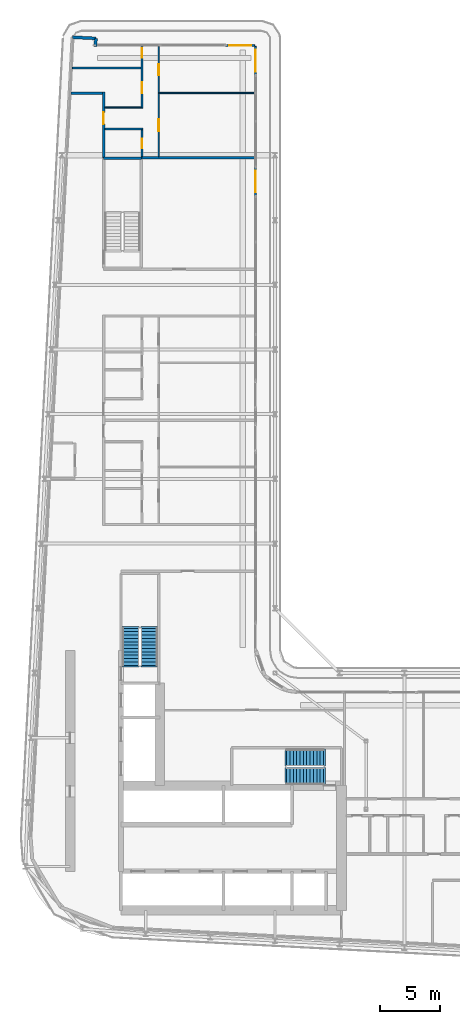
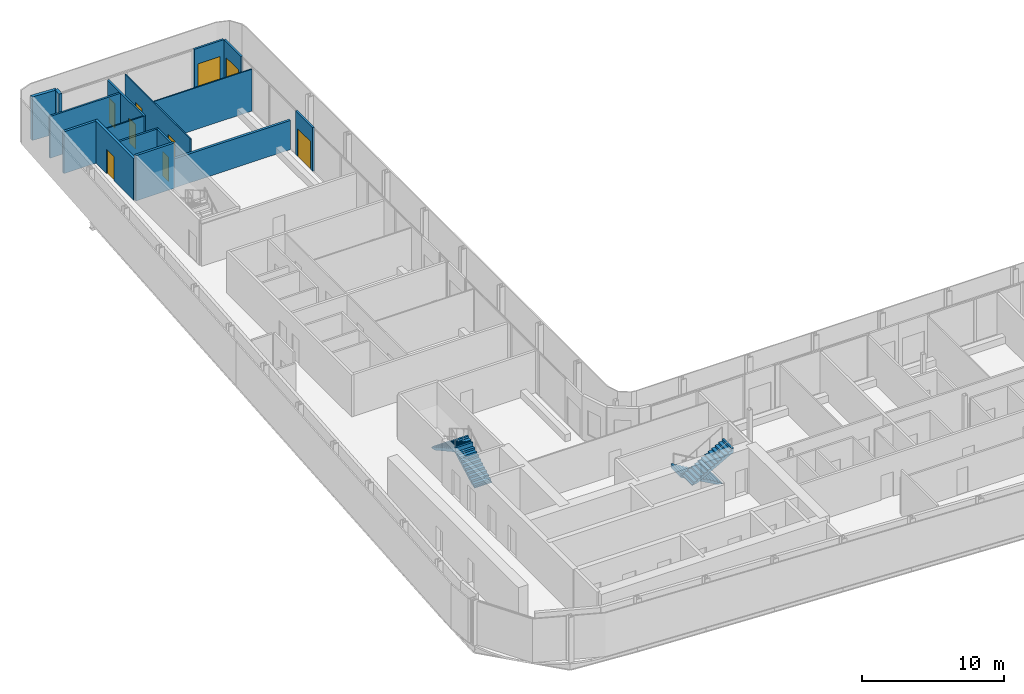
# One storey, part 21 of 29: 16 walls, 9 doors, 4 stair flights, 9 openings, 2 elements without a shape of their own.
"""IFC4 building model written with IfcOpenShell, lengths in metres."""

from ifc_helpers import new_model, si_unit, direction, frame, frame_2d, origin, place, context, subcontext, project, spatial, polyline, rectangle, outline, extrude, source, transform, mapped, material, layer, layer_set, type_object, element, fill, aggregate, save


model = new_model("IFC4")

# Units and contexts
model_context = context("Model", 3, precision=1e-05, world=origin(), true_north=direction((0.0, 1.0)))
body_context = subcontext(model_context, "Body", "Model", "MODEL_VIEW")
ifc_project = project(units=[si_unit("LENGTHUNIT", "METRE"), si_unit("AREAUNIT", "SQUARE_METRE"), si_unit("VOLUMEUNIT", "CUBIC_METRE"), si_unit("PLANEANGLEUNIT", "RADIAN"), si_unit("MASSUNIT", "GRAM", prefix="KILO")], contexts=[model_context])

# Site, building, storey
site_placement = place(None, origin())
site = spatial("IfcSite", under=ifc_project, at=site_placement, CompositionType="ELEMENT")
building_placement = place(site_placement, origin())
building = spatial("IfcBuilding", under=site, at=building_placement, Name="Kheshtan School and Residences Tower", CompositionType="ELEMENT")
storey_placement = place(building_placement, frame((0.0, 0.0, 179.89990234375)))
storey = spatial("IfcBuildingStorey", under=building, at=storey_placement, Name="L42", CompositionType="ELEMENT", Elevation=179.89990234375)

# Wall
ifc_material_1 = material(Name="Gypsum board on steel studs with fire boards", Category="steel")
ifc_layer_1 = layer(ifc_material_1, 0.199951171875)
ifc_layer_set_1 = layer_set([ifc_layer_1], Name="Corridor wall 200")
wall_type_1 = type_object("IfcWallType", Name="Corridor wall 200", PredefinedType="PARTITIONING", material=ifc_layer_set_1)
wall_1_placement = place(storey_placement, frame((30.584716796875, 94.0, 0.0), z_axis=(0.0, 0.0, 1.0), x_axis=(1.0, 0.0, 0.0)))
element("IfcWall", 1, at=wall_1_placement, inside=storey, type_object=wall_type_1, Name="Partition L42-002", PredefinedType="PARTITIONING", context=body_context, shape_type="SweptSolid", body=[
    extrude(rectangle(XDim=2.615234375, YDim=0.199951171875, at=frame_2d((1.3076171875, 0.0))), origin(), (0.0, 0.0, 1.0), 3.60009765625),
])

# Wall, opening, door
wall_2_placement = place(storey_placement, frame((33.300048828125, 88.60009765625, 0.0), z_axis=(0.0, 0.0, 1.0), x_axis=(0.0, 1.0, 0.0)))
wall_2 = element("IfcWall", 2, at=wall_2_placement, inside=storey, type_object=wall_type_1, Name="Partition L42-005", PredefinedType="PARTITIONING", context=body_context, shape_type="SweptSolid", body=[
    extrude(rectangle(XDim=5.5, YDim=0.199951171875, at=frame_2d((2.75, 0.0))), origin(), (0.0, 0.0, 1.0), 3.60009765625),
])
opening_1_placement = place(wall_2_placement, frame((2.800048828125, 0.0, 0.0)))
opening_1 = element("IfcOpeningElement", 3, at=opening_1_placement, cuts=wall_2, Name="Opening D41-045", PredefinedType="OPENING", context=body_context, shape_type="SweptSolid", body=[
    extrude(rectangle(XDim=1.0, YDim=2.10009765625, at=frame_2d((0.5, 1.050048828125))), frame((0.0, 0.10986328125, 0.0), z_axis=(0.0, -1.0, 0.0), x_axis=(1.0, 0.0, 0.0)), (0.0, 0.0, 1.0), 0.219970703125),
])
ifc_material_2 = material(Name="Steel-framed fire-resisting door leaf", Category="steel")
door_type_1 = type_object("IfcDoorType", Name="Fire door FD30S 1000 x 2100", OperationType="SINGLE_SWING_LEFT", PredefinedType="DOOR", material=ifc_material_2)
shared_shape_1 = source(origin(), body_context, "Body", "SweptSolid", [
    extrude(rectangle(XDim=1.0, YDim=2.10009765625, at=frame_2d((0.5, 1.050048828125))), frame((0.0, 0.02490234375, 0.0), z_axis=(0.0, -1.0, 0.0), x_axis=(1.0, 0.0, 0.0)), (0.0, 0.0, 1.0), 0.050048828125),
])
door_1_placement = place(opening_1_placement, origin())
door_1 = element("IfcDoor", 4, at=door_1_placement, inside=storey, type_object=door_type_1, Name="Door D41-045", OperationType="SINGLE_SWING_LEFT", OverallHeight=2.10009765625, OverallWidth=1.0, PredefinedType="DOOR", context=body_context, shape_type="MappedRepresentation", body=[
    mapped(shared_shape_1, transform((0.0, 0.0, 0.0), x_axis=(1.0, 0.0, 0.0), y_axis=(0.0, 1.0, 0.0), z_axis=(0.0, 0.0, 1.0), scale=1.0)),
])
fill(opening_1, door_1)

# Walls
ifc_material_3 = material(Name="Concrete C40/50 with ceramic cladding and mineral wool insulation", Category="concrete")
ifc_layer_2 = layer(ifc_material_3, 0.25)
ifc_layer_set_2 = layer_set([ifc_layer_2], Name="External wall 250 ceramic clad")
wall_type_2 = type_object("IfcWallType", Name="External wall 250 ceramic clad", PredefinedType="SOLIDWALL", material=ifc_layer_set_2)
wall_3_placement = place(storey_placement, frame((30.705078125, 98.6640625, 0.0), z_axis=(0.0, 0.0, 1.0), x_axis=(0.998577785791, -0.053314216913, 0.0)))
element("IfcWall", 5, at=wall_3_placement, inside=storey, type_object=wall_type_2, Name="External wall L42 5", PredefinedType="SOLIDWALL", context=body_context, shape_type="SweptSolid", body=[
    extrude(rectangle(XDim=1.95068359375, YDim=0.25, at=frame_2d((0.975341796875, 0.0))), origin(), (0.0, 0.0, 1.0), 3.75),
])
wall_4_placement = place(storey_placement, frame((32.653076171875, 98.56005859375, 0.0), z_axis=(0.0, 0.0, 1.0), x_axis=(-0.054093451632, -0.998535877418, 0.0)))
element("IfcWall", 6, at=wall_4_placement, inside=storey, type_object=wall_type_2, Name="External wall L42 6", PredefinedType="SOLIDWALL", context=body_context, shape_type="SweptSolid", body=[
    extrude(rectangle(XDim=0.66796875, YDim=0.25, at=frame_2d((0.333984375, 0.0))), origin(), (0.0, 0.0, 1.0), 3.75),
])

# Wall, opening, door
ifc_material_4 = material(Name="Aluminium frame wall with insulated infill", Category="aluminium")
ifc_layer_3 = layer(ifc_material_4, 0.14990234375)
ifc_layer_set_3 = layer_set([ifc_layer_3], Name="Glazing frame wall 150")
wall_type_3 = type_object("IfcWallType", Name="Glazing frame wall 150", PredefinedType="SOLIDWALL", material=ifc_layer_set_3)
wall_5_placement = place(storey_placement, frame((43.5, 97.97509765625, 0.0), z_axis=(0.0, 0.0, 1.0), x_axis=(1.0, 0.0, 0.0)))
wall_5 = element("IfcWall", 7, at=wall_5_placement, inside=storey, type_object=wall_type_3, Name="Balcony door wall L42 7.1", PredefinedType="SOLIDWALL", context=body_context, shape_type="SweptSolid", body=[
    extrude(rectangle(XDim=2.39990234375, YDim=0.14990234375, at=frame_2d((1.199951171875, 0.0))), origin(), (0.0, 0.0, 1.0), 3.75),
])
opening_2_placement = place(wall_5_placement, frame((0.300048828125, 0.0, 0.0)))
opening_2 = element("IfcOpeningElement", 8, at=opening_2_placement, cuts=wall_5, Name="Opening BD", PredefinedType="OPENING", context=body_context, shape_type="SweptSolid", body=[
    extrude(rectangle(XDim=1.800048828125, YDim=2.39990234375, at=frame_2d((0.89990234375, 1.199951171875))), frame((0.0, 0.0849609375, 0.0), z_axis=(0.0, -1.0, 0.0), x_axis=(1.0, 0.0, 0.0)), (0.0, 0.0, 1.0), 0.169921875),
])
ifc_material_5 = material(Name="Clear low-e glass in thermally broken aluminium frame", Category="aluminium")
door_type_2 = type_object("IfcDoorType", Name="Balcony sliding door", OperationType="SLIDING_TO_LEFT", PredefinedType="DOOR", material=ifc_material_5)
shared_shape_2 = source(origin(), body_context, "Body", "SweptSolid", [
    extrude(rectangle(XDim=1.800048828125, YDim=2.39990234375, at=frame_2d((0.89990234375, 1.199951171875))), frame((0.0, 0.02490234375, 0.0), z_axis=(0.0, -1.0, 0.0), x_axis=(1.0, 0.0, 0.0)), (0.0, 0.0, 1.0), 0.050048828125),
])
door_2_placement = place(opening_2_placement, origin())
door_2 = element("IfcDoor", 9, at=door_2_placement, inside=storey, type_object=door_type_2, Name="Balcony door L42 7.1", OperationType="SLIDING_TO_LEFT", OverallHeight=2.39990234375, OverallWidth=1.800048828125, PredefinedType="DOOR", context=body_context, shape_type="MappedRepresentation", body=[
    mapped(shared_shape_2, transform((0.0, 0.0, 0.0), x_axis=(1.0, 0.0, 0.0), y_axis=(0.0, 1.0, 0.0), z_axis=(0.0, 0.0, 1.0), scale=1.0)),
])
fill(opening_2, door_2)

wall_6_placement = place(storey_placement, frame((45.97509765625, 97.89990234375, 0.0), z_axis=(0.0, 0.0, 1.0), x_axis=(0.0, -1.0, 0.0)))
wall_6 = element("IfcWall", 10, at=wall_6_placement, inside=storey, type_object=wall_type_3, Name="Balcony door wall L42 8.1", PredefinedType="SOLIDWALL", context=body_context, shape_type="SweptSolid", body=[
    extrude(rectangle(XDim=2.39990234375, YDim=0.14990234375, at=frame_2d((1.199951171875, 0.0))), origin(), (0.0, 0.0, 1.0), 3.75),
])
opening_3_placement = place(wall_6_placement, frame((0.300048828125, 0.0, 0.0)))
opening_3 = element("IfcOpeningElement", 11, at=opening_3_placement, cuts=wall_6, Name="Opening BD", PredefinedType="OPENING", context=body_context, shape_type="SweptSolid", body=[
    extrude(rectangle(XDim=1.800048828125, YDim=2.39990234375, at=frame_2d((0.89990234375, 1.199951171875))), frame((0.0, 0.0849609375, 0.0), z_axis=(0.0, -1.0, 0.0), x_axis=(1.0, 0.0, 0.0)), (0.0, 0.0, 1.0), 0.169921875),
])
door_3_placement = place(opening_3_placement, origin())
door_3 = element("IfcDoor", 12, at=door_3_placement, inside=storey, type_object=door_type_2, Name="Balcony door L42 8.1", OperationType="SLIDING_TO_LEFT", OverallHeight=2.39990234375, OverallWidth=1.800048828125, PredefinedType="DOOR", context=body_context, shape_type="MappedRepresentation", body=[
    mapped(shared_shape_2, transform((0.0, 0.0, 0.0), x_axis=(1.0, 0.0, 0.0), y_axis=(0.0, 1.0, 0.0), z_axis=(0.0, 0.0, 1.0), scale=1.0)),
])
fill(opening_3, door_3)

wall_7_placement = place(storey_placement, frame((45.97509765625, 87.805908203125, 0.0), z_axis=(0.0, 0.0, 1.0), x_axis=(0.0, -1.0, 0.0)))
wall_7 = element("IfcWall", 13, at=wall_7_placement, inside=storey, type_object=wall_type_3, Name="Balcony door wall L42 8.2", PredefinedType="SOLIDWALL", context=body_context, shape_type="SweptSolid", body=[
    extrude(rectangle(XDim=2.39990234375, YDim=0.14990234375, at=frame_2d((1.199951171875, 0.0))), origin(), (0.0, 0.0, 1.0), 3.75),
])
opening_4_placement = place(wall_7_placement, frame((0.300048828125, 0.0, 0.0)))
opening_4 = element("IfcOpeningElement", 14, at=opening_4_placement, cuts=wall_7, Name="Opening BD", PredefinedType="OPENING", context=body_context, shape_type="SweptSolid", body=[
    extrude(rectangle(XDim=1.800048828125, YDim=2.39990234375, at=frame_2d((0.89990234375, 1.199951171875))), frame((0.0, 0.0849609375, 0.0), z_axis=(0.0, -1.0, 0.0), x_axis=(1.0, 0.0, 0.0)), (0.0, 0.0, 1.0), 0.169921875),
])
door_4_placement = place(opening_4_placement, origin())
door_4 = element("IfcDoor", 15, at=door_4_placement, inside=storey, type_object=door_type_2, Name="Balcony door L42 8.2", OperationType="SLIDING_TO_LEFT", OverallHeight=2.39990234375, OverallWidth=1.800048828125, PredefinedType="DOOR", context=body_context, shape_type="MappedRepresentation", body=[
    mapped(shared_shape_2, transform((0.0, 0.0, 0.0), x_axis=(1.0, 0.0, 0.0), y_axis=(0.0, 1.0, 0.0), z_axis=(0.0, 0.0, 1.0), scale=1.0)),
])
fill(opening_4, door_4)

# Wall
ifc_material_6 = material(Name="Gypsum board on steel studs", Category="steel")
ifc_layer_4 = layer(ifc_material_6, 0.10009765625)
ifc_layer_set_4 = layer_set([ifc_layer_4], Name="Gypsum partition 100")
wall_type_4 = type_object("IfcWallType", Name="Gypsum partition 100", PredefinedType="PARTITIONING", material=ifc_layer_set_4)
wall_8_placement = place(storey_placement, frame((33.39990234375, 92.800048828125, 0.0), z_axis=(0.0, 0.0, 1.0), x_axis=(1.0, 0.0, 0.0)))
element("IfcWall", 16, at=wall_8_placement, inside=storey, type_object=wall_type_4, Name="Partition L42-016", PredefinedType="PARTITIONING", context=body_context, shape_type="SweptSolid", body=[
    extrude(rectangle(XDim=3.025146484375, YDim=0.10009765625, at=frame_2d((1.5126953125, 0.0))), origin(), (0.0, 0.0, 1.0), 3.60009765625),
])

# Wall, openings, doors
wall_9_placement = place(storey_placement, frame((37.89990234375, 88.699951171875, 0.0), z_axis=(0.0, 0.0, 1.0), x_axis=(0.0, 1.0, 0.0)))
wall_9 = element("IfcWall", 17, at=wall_9_placement, inside=storey, type_object=wall_type_4, Name="Partition L42-025", PredefinedType="PARTITIONING", context=body_context, shape_type="SweptSolid", body=[
    extrude(rectangle(XDim=9.199951171875, YDim=0.10009765625, at=frame_2d((4.60009765625, 0.0))), origin(), (0.0, 0.0, 1.0), 3.60009765625),
])
opening_5_placement = place(wall_9_placement, frame((6.800048828125, 0.0, 0.0)))
opening_5 = element("IfcOpeningElement", 18, at=opening_5_placement, cuts=wall_9, Name="Opening D41-044", PredefinedType="OPENING", context=body_context, shape_type="SweptSolid", body=[
    extrude(rectangle(XDim=0.89990234375, YDim=2.10009765625, at=frame_2d((0.449951171875, 1.050048828125))), frame((0.0, 0.06005859375, 0.0), z_axis=(0.0, -1.0, 0.0), x_axis=(1.0, 0.0, 0.0)), (0.0, 0.0, 1.0), 0.1201171875),
])
opening_6_placement = place(wall_9_placement, frame((2.10009765625, 0.0, 0.0)))
opening_6 = element("IfcOpeningElement", 19, at=opening_6_placement, cuts=wall_9, Name="Opening D41-047", PredefinedType="OPENING", context=body_context, shape_type="SweptSolid", body=[
    extrude(rectangle(XDim=1.0, YDim=2.10009765625, at=frame_2d((0.5, 1.050048828125))), frame((0.0, 0.06005859375, 0.0), z_axis=(0.0, -1.0, 0.0), x_axis=(1.0, 0.0, 0.0)), (0.0, 0.0, 1.0), 0.1201171875),
])
ifc_material_7 = material(Name="Veneered timber door leaf", Category="wood")
door_type_3 = type_object("IfcDoorType", Name="Door 1000 x 2100", OperationType="SINGLE_SWING_LEFT", PredefinedType="DOOR", material=ifc_material_7)
shared_shape_3 = source(origin(), body_context, "Body", "SweptSolid", [
    extrude(rectangle(XDim=1.0, YDim=2.10009765625, at=frame_2d((0.5, 1.050048828125))), frame((0.0, 0.02490234375, 0.0), z_axis=(0.0, -1.0, 0.0), x_axis=(1.0, 0.0, 0.0)), (0.0, 0.0, 1.0), 0.050048828125),
])
door_5_placement = place(opening_6_placement, origin())
door_5 = element("IfcDoor", 20, at=door_5_placement, inside=storey, type_object=door_type_3, Name="Door D41-047", OperationType="SINGLE_SWING_LEFT", OverallHeight=2.10009765625, OverallWidth=1.0, PredefinedType="DOOR", context=body_context, shape_type="MappedRepresentation", body=[
    mapped(shared_shape_3, transform((0.0, 0.0, 0.0), x_axis=(1.0, 0.0, 0.0), y_axis=(0.0, 1.0, 0.0), z_axis=(0.0, 0.0, 1.0), scale=1.0)),
])
fill(opening_6, door_5)
door_type_4 = type_object("IfcDoorType", Name="Door 900 x 2100", OperationType="SINGLE_SWING_LEFT", PredefinedType="DOOR", material=ifc_material_7)
shared_shape_4 = source(origin(), body_context, "Body", "SweptSolid", [
    extrude(rectangle(XDim=0.89990234375, YDim=2.10009765625, at=frame_2d((0.449951171875, 1.050048828125))), frame((0.0, 0.02490234375, 0.0), z_axis=(0.0, -1.0, 0.0), x_axis=(1.0, 0.0, 0.0)), (0.0, 0.0, 1.0), 0.050048828125),
])
door_6_placement = place(opening_5_placement, origin())
door_6 = element("IfcDoor", 21, at=door_6_placement, inside=storey, type_object=door_type_4, Name="Door D41-044", OperationType="SINGLE_SWING_RIGHT", OverallHeight=2.10009765625, OverallWidth=0.89990234375, PredefinedType="DOOR", context=body_context, shape_type="MappedRepresentation", body=[
    mapped(shared_shape_4, transform((0.0, 0.0, 0.0), x_axis=(1.0, 0.0, 0.0), y_axis=(0.0, 1.0, 0.0), z_axis=(0.0, 0.0, 1.0), scale=1.0)),
])
fill(opening_5, door_6)

# Walls
wall_10_placement = place(storey_placement, frame((37.949951171875, 94.0, 0.0), z_axis=(0.0, 0.0, 1.0), x_axis=(1.0, 0.0, 0.0)))
element("IfcWall", 22, at=wall_10_placement, inside=storey, type_object=wall_type_4, Name="Partition L42-028", PredefinedType="PARTITIONING", context=body_context, shape_type="SweptSolid", body=[
    extrude(rectangle(XDim=7.949951171875, YDim=0.10009765625, at=frame_2d((3.97509765625, 0.0))), origin(), (0.0, 0.0, 1.0), 3.60009765625),
])
ifc_material_8 = material(Name="Concrete C40/50", Category="concrete")
ifc_layer_5 = layer(ifc_material_8, 0.199951171875)
ifc_layer_set_5 = layer_set([ifc_layer_5], Name="Stair enclosure wall 200 Concrete C40/50")
wall_type_5 = type_object("IfcWallType", Name="Stair enclosure wall 200 Concrete C40/50", PredefinedType="SHEAR", material=ifc_layer_set_5)
wall_11_placement = place(storey_placement, frame((33.300048828125, 88.56005859375, 0.0), z_axis=(0.0, 0.0, 1.0), x_axis=(1.0, 0.0, 0.0)))
element("IfcWall", 23, at=wall_11_placement, inside=storey, type_object=wall_type_5, Name="Stair enclosure wall ST3", PredefinedType="SHEAR", context=body_context, shape_type="SweptSolid", body=[
    extrude(rectangle(XDim=3.14990234375, YDim=0.199951171875, at=frame_2d((1.574951171875, 0.0))), origin(), (0.0, 0.0, 1.0), 3.900146484375),
])
ifc_material_9 = material(Name="Twin gypsum board on steel studs with mineral wool", Category="steel")
ifc_layer_6 = layer(ifc_material_9, 0.199951171875)
ifc_layer_set_6 = layer_set([ifc_layer_6], Name="Unit demising wall 200")
wall_type_6 = type_object("IfcWallType", Name="Unit demising wall 200", PredefinedType="PARTITIONING", material=ifc_layer_set_6)
wall_12_placement = place(storey_placement, frame((36.425048828125, 88.60009765625, 0.0), z_axis=(0.0, 0.0, 1.0), x_axis=(1.0, 0.0, 0.0)))
element("IfcWall", 24, at=wall_12_placement, inside=storey, type_object=wall_type_6, Name="Partition L42-018", PredefinedType="PARTITIONING", context=body_context, shape_type="SweptSolid", body=[
    extrude(rectangle(XDim=9.474853515625, YDim=0.199951171875, at=frame_2d((4.7373046875, 0.0))), origin(), (0.0, 0.0, 1.0), 2.5),
])
ifc_material_10 = material(Name="Moisture-resistant gypsum board on steel studs", Category="steel")
ifc_layer_7 = layer(ifc_material_10, 0.14990234375)
ifc_layer_set_7 = layer_set([ifc_layer_7], Name="Wet-room partition 150")
wall_type_7 = type_object("IfcWallType", Name="Wet-room partition 150", PredefinedType="PARTITIONING", material=ifc_layer_set_7)
wall_13_placement = place(storey_placement, frame((30.695068359375, 96.10009765625, 0.0), z_axis=(0.0, 0.0, 1.0), x_axis=(1.0, 0.0, 0.0)))
element("IfcWall", 25, at=wall_13_placement, inside=storey, type_object=wall_type_7, Name="Partition L42-001", PredefinedType="PARTITIONING", context=body_context, shape_type="SweptSolid", body=[
    extrude(rectangle(XDim=5.72998046875, YDim=0.14990234375, at=frame_2d((2.864990234375, 0.0))), origin(), (0.0, 0.0, 1.0), 3.60009765625),
])
wall_14_placement = place(storey_placement, frame((33.39990234375, 91.0, 0.0), z_axis=(0.0, 0.0, 1.0), x_axis=(1.0, 0.0, 0.0)))
element("IfcWall", 26, at=wall_14_placement, inside=storey, type_object=wall_type_7, Name="Partition L42-015", PredefinedType="PARTITIONING", context=body_context, shape_type="SweptSolid", body=[
    extrude(rectangle(XDim=3.175048828125, YDim=0.14990234375, at=frame_2d((1.58740234375, 0.0))), origin(), (0.0, 0.0, 1.0), 3.60009765625),
])

# Wall, opening, door
wall_15_placement = place(storey_placement, frame((36.5, 88.699951171875, 0.0), z_axis=(0.0, 0.0, 1.0), x_axis=(0.0, 1.0, 0.0)))
wall_15 = element("IfcWall", 27, at=wall_15_placement, inside=storey, type_object=wall_type_7, Name="Partition L42-021", PredefinedType="PARTITIONING", context=body_context, shape_type="SweptSolid", body=[
    extrude(rectangle(XDim=2.22509765625, YDim=0.14990234375, at=frame_2d((1.112548828125, 0.0))), origin(), (0.0, 0.0, 1.0), 3.60009765625),
])
opening_7_placement = place(wall_15_placement, frame((0.699951171875, 0.0, 0.0)))
opening_7 = element("IfcOpeningElement", 28, at=opening_7_placement, cuts=wall_15, Name="Opening D41-043", PredefinedType="OPENING", context=body_context, shape_type="SweptSolid", body=[
    extrude(rectangle(XDim=0.800048828125, YDim=2.10009765625, at=frame_2d((0.39990234375, 1.050048828125))), frame((0.0, 0.0849609375, 0.0), z_axis=(0.0, -1.0, 0.0), x_axis=(1.0, 0.0, 0.0)), (0.0, 0.0, 1.0), 0.169921875),
])
door_type_5 = type_object("IfcDoorType", Name="Door 800 x 2100", OperationType="SINGLE_SWING_LEFT", PredefinedType="DOOR", material=ifc_material_7)
shared_shape_5 = source(origin(), body_context, "Body", "SweptSolid", [
    extrude(rectangle(XDim=0.800048828125, YDim=2.10009765625, at=frame_2d((0.39990234375, 1.050048828125))), frame((0.0, 0.02490234375, 0.0), z_axis=(0.0, -1.0, 0.0), x_axis=(1.0, 0.0, 0.0)), (0.0, 0.0, 1.0), 0.050048828125),
])
door_7_placement = place(opening_7_placement, origin())
door_7 = element("IfcDoor", 29, at=door_7_placement, inside=storey, type_object=door_type_5, Name="Door D41-043", OperationType="SINGLE_SWING_LEFT", OverallHeight=2.10009765625, OverallWidth=0.800048828125, PredefinedType="DOOR", context=body_context, shape_type="MappedRepresentation", body=[
    mapped(shared_shape_5, transform((0.0, 0.0, 0.0), x_axis=(1.0, 0.0, 0.0), y_axis=(0.0, 1.0, 0.0), z_axis=(0.0, 0.0, 1.0), scale=1.0)),
])
fill(opening_7, door_7)

# Wall, openings, doors
wall_16_placement = place(storey_placement, frame((36.5, 92.75, 0.0), z_axis=(0.0, 0.0, 1.0), x_axis=(0.0, 1.0, 0.0)))
wall_16 = element("IfcWall", 30, at=wall_16_placement, inside=storey, type_object=wall_type_7, Name="Partition L42-022", PredefinedType="PARTITIONING", context=body_context, shape_type="SweptSolid", body=[
    extrude(rectangle(XDim=5.14990234375, YDim=0.14990234375, at=frame_2d((2.574951171875, 0.0))), origin(), (0.0, 0.0, 1.0), 3.60009765625),
])
opening_8_placement = place(wall_16_placement, frame((1.25, 0.0, 0.0)))
opening_8 = element("IfcOpeningElement", 31, at=opening_8_placement, cuts=wall_16, Name="Opening D41-046", PredefinedType="OPENING", context=body_context, shape_type="SweptSolid", body=[
    extrude(rectangle(XDim=0.89990234375, YDim=2.10009765625, at=frame_2d((0.449951171875, 1.050048828125))), frame((0.0, 0.0849609375, 0.0), z_axis=(0.0, -1.0, 0.0), x_axis=(1.0, 0.0, 0.0)), (0.0, 0.0, 1.0), 0.169921875),
])
opening_9_placement = place(wall_16_placement, frame((4.199951171875, 0.0, 0.0)))
opening_9 = element("IfcOpeningElement", 32, at=opening_9_placement, cuts=wall_16, Name="Opening D41-048", PredefinedType="OPENING", context=body_context, shape_type="SweptSolid", body=[
    extrude(rectangle(XDim=0.800048828125, YDim=2.10009765625, at=frame_2d((0.39990234375, 1.050048828125))), frame((0.0, 0.0849609375, 0.0), z_axis=(0.0, -1.0, 0.0), x_axis=(1.0, 0.0, 0.0)), (0.0, 0.0, 1.0), 0.169921875),
])
door_8_placement = place(opening_9_placement, origin())
door_8 = element("IfcDoor", 33, at=door_8_placement, inside=storey, type_object=door_type_5, Name="Door D41-048", OperationType="SINGLE_SWING_LEFT", OverallHeight=2.10009765625, OverallWidth=0.800048828125, PredefinedType="DOOR", context=body_context, shape_type="MappedRepresentation", body=[
    mapped(shared_shape_5, transform((0.0, 0.0, 0.0), x_axis=(1.0, 0.0, 0.0), y_axis=(0.0, 1.0, 0.0), z_axis=(0.0, 0.0, 1.0), scale=1.0)),
])
fill(opening_9, door_8)
door_9_placement = place(opening_8_placement, origin())
door_9 = element("IfcDoor", 34, at=door_9_placement, inside=storey, type_object=door_type_4, Name="Door D41-046", OperationType="SINGLE_SWING_RIGHT", OverallHeight=2.10009765625, OverallWidth=0.89990234375, PredefinedType="DOOR", context=body_context, shape_type="MappedRepresentation", body=[
    mapped(shared_shape_4, transform((0.0, 0.0, 0.0), x_axis=(1.0, 0.0, 0.0), y_axis=(0.0, 1.0, 0.0), z_axis=(0.0, 0.0, 1.0), scale=1.0)),
])
fill(opening_8, door_9)

# Stair, stair flights
stair_type = type_object("IfcStairType", Name="Exit stair, half-turn", PredefinedType="HALF_TURN_STAIR", material=ifc_material_8)
stair_1_placement = place(storey_placement, origin())
stair_1 = element("IfcStair", 35, at=stair_1_placement, inside=storey, type_object=stair_type, Name="L42 Protected Exit Stair ST1", PredefinedType="HALF_TURN_STAIR")
ifc_layer_8 = layer(ifc_material_8, 0.14990234375)
ifc_layer_set_8 = layer_set([ifc_layer_8], Name="Stair flight 1400 Concrete C40/50")
stair_flight_type = type_object("IfcStairFlightType", Name="Stair flight 1400 Concrete C40/50", PredefinedType="STRAIGHT", material=ifc_layer_set_8)
stair_flight_1_placement = place(storey_placement, frame((51.64990234375, 38.550048828125, 0.0), z_axis=(0.0, 0.0, 1.0), x_axis=(-1.0, 0.0, 0.0)))
stair_flight_1 = element("IfcStairFlight", 36, at=stair_flight_1_placement, type_object=stair_flight_type, Name="ST1 flight 1", NumberOfRisers=12, NumberOfTreads=11, PredefinedType="STRAIGHT", RiserHeight=0.1625, TreadLength=0.28, context=body_context, shape_type="SweptSolid", body=[
    extrude(outline(polyline([(-0.14990234375, -0.10009765625), (-0.14990234375, 0.0), (0.0, 0.0), (0.0, 0.16259765625), (0.280029296875, 0.16259765625), (0.280029296875, 0.324951171875), (0.56005859375, 0.324951171875), (0.56005859375, 0.487548828125), (0.840087890625, 0.487548828125), (0.840087890625, 0.64990234375), (1.1201171875, 0.64990234375), (1.1201171875, 0.8125), (1.39990234375, 0.8125), (1.39990234375, 0.97509765625), (1.679931640625, 0.97509765625), (1.679931640625, 1.137451171875), (1.9599609375, 1.137451171875), (1.9599609375, 1.300048828125), (2.239990234375, 1.300048828125), (2.239990234375, 1.46240234375), (2.52001953125, 1.46240234375), (2.52001953125, 1.625), (2.800048828125, 1.625), (2.800048828125, 1.78759765625), (3.080078125, 1.78759765625), (3.080078125, 1.949951171875), (3.080078125, 1.969970703125), (3.22998046875, 1.969970703125), (3.22998046875, 1.6142578125), (0.298583984375, 0.0), (-0.14990234375, -0.10009765625)])), frame((0.0, 0.699951171875, 0.0), z_axis=(0.0, -1.0, 0.0), x_axis=(1.0, 0.0, 0.0)), (0.0, 0.0, 1.0), 1.39990234375),
])
stair_flight_2_placement = place(storey_placement, frame((48.570068359375, 37.0, 1.9501953125), z_axis=(0.0, 0.0, 1.0), x_axis=(1.0, 0.0, 0.0)))
stair_flight_2 = element("IfcStairFlight", 37, at=stair_flight_2_placement, type_object=stair_flight_type, Name="ST1 flight 2", NumberOfRisers=12, NumberOfTreads=11, PredefinedType="STRAIGHT", RiserHeight=0.1625, TreadLength=0.28, context=body_context, shape_type="SweptSolid", body=[
    extrude(outline(polyline([(-0.14990234375, -0.10009765625), (-0.14990234375, 0.0), (0.0, 0.0), (0.0, 0.16259765625), (0.280029296875, 0.16259765625), (0.280029296875, 0.324951171875), (0.56005859375, 0.324951171875), (0.56005859375, 0.487548828125), (0.840087890625, 0.487548828125), (0.840087890625, 0.64990234375), (1.1201171875, 0.64990234375), (1.1201171875, 0.8125), (1.39990234375, 0.8125), (1.39990234375, 0.97509765625), (1.679931640625, 0.97509765625), (1.679931640625, 1.137451171875), (1.9599609375, 1.137451171875), (1.9599609375, 1.300048828125), (2.239990234375, 1.300048828125), (2.239990234375, 1.46240234375), (2.52001953125, 1.46240234375), (2.52001953125, 1.625), (2.800048828125, 1.625), (2.800048828125, 1.78759765625), (3.080078125, 1.78759765625), (3.080078125, 1.949951171875), (3.080078125, 1.969970703125), (3.22998046875, 1.969970703125), (3.22998046875, 1.6142578125), (0.298583984375, 0.0), (-0.14990234375, -0.10009765625)])), frame((0.0, 0.699951171875, 0.0), z_axis=(0.0, -1.0, 0.0), x_axis=(1.0, 0.0, 0.0)), (0.0, 0.0, 1.0), 1.39990234375),
])
aggregate(stair_1, [stair_flight_1, stair_flight_2])

stair_2_placement = place(storey_placement, origin())
stair_2 = element("IfcStair", 38, at=stair_2_placement, inside=storey, type_object=stair_type, Name="L42 Protected Exit Stair ST2", PredefinedType="HALF_TURN_STAIR")
stair_flight_3_placement = place(storey_placement, frame((37.10009765625, 46.25, 0.0), z_axis=(0.0, 0.0, 1.0), x_axis=(0.0, 1.0, 0.0)))
stair_flight_3 = element("IfcStairFlight", 39, at=stair_flight_3_placement, type_object=stair_flight_type, Name="ST2 flight 1", NumberOfRisers=12, NumberOfTreads=11, PredefinedType="STRAIGHT", RiserHeight=0.1625, TreadLength=0.28, context=body_context, shape_type="SweptSolid", body=[
    extrude(outline(polyline([(-0.14990234375, -0.10009765625), (-0.14990234375, 0.0), (0.0, 0.0), (0.0, 0.16259765625), (0.280029296875, 0.16259765625), (0.280029296875, 0.324951171875), (0.56005859375, 0.324951171875), (0.56005859375, 0.487548828125), (0.840087890625, 0.487548828125), (0.840087890625, 0.64990234375), (1.1201171875, 0.64990234375), (1.1201171875, 0.8125), (1.39990234375, 0.8125), (1.39990234375, 0.97509765625), (1.679931640625, 0.97509765625), (1.679931640625, 1.137451171875), (1.9599609375, 1.137451171875), (1.9599609375, 1.300048828125), (2.239990234375, 1.300048828125), (2.239990234375, 1.46240234375), (2.52001953125, 1.46240234375), (2.52001953125, 1.625), (2.800048828125, 1.625), (2.800048828125, 1.78759765625), (3.080078125, 1.78759765625), (3.080078125, 1.949951171875), (3.080078125, 1.969970703125), (3.22998046875, 1.969970703125), (3.22998046875, 1.6142578125), (0.298583984375, 0.0), (-0.14990234375, -0.10009765625)])), frame((0.0, 0.699951171875, 0.0), z_axis=(0.0, -1.0, 0.0), x_axis=(1.0, 0.0, 0.0)), (0.0, 0.0, 1.0), 1.39990234375),
])
stair_flight_4_placement = place(storey_placement, frame((35.550048828125, 49.330078125, 1.9501953125), z_axis=(0.0, 0.0, 1.0), x_axis=(0.0, -1.0, 0.0)))
stair_flight_4 = element("IfcStairFlight", 40, at=stair_flight_4_placement, type_object=stair_flight_type, Name="ST2 flight 2", NumberOfRisers=12, NumberOfTreads=11, PredefinedType="STRAIGHT", RiserHeight=0.1625, TreadLength=0.28, context=body_context, shape_type="SweptSolid", body=[
    extrude(outline(polyline([(-0.14990234375, -0.10009765625), (-0.14990234375, 0.0), (0.0, 0.0), (0.0, 0.16259765625), (0.280029296875, 0.16259765625), (0.280029296875, 0.324951171875), (0.56005859375, 0.324951171875), (0.56005859375, 0.487548828125), (0.840087890625, 0.487548828125), (0.840087890625, 0.64990234375), (1.1201171875, 0.64990234375), (1.1201171875, 0.8125), (1.39990234375, 0.8125), (1.39990234375, 0.97509765625), (1.679931640625, 0.97509765625), (1.679931640625, 1.137451171875), (1.9599609375, 1.137451171875), (1.9599609375, 1.300048828125), (2.239990234375, 1.300048828125), (2.239990234375, 1.46240234375), (2.52001953125, 1.46240234375), (2.52001953125, 1.625), (2.800048828125, 1.625), (2.800048828125, 1.78759765625), (3.080078125, 1.78759765625), (3.080078125, 1.949951171875), (3.080078125, 1.969970703125), (3.22998046875, 1.969970703125), (3.22998046875, 1.6142578125), (0.298583984375, 0.0), (-0.14990234375, -0.10009765625)])), frame((0.0, 0.699951171875, 0.0), z_axis=(0.0, -1.0, 0.0), x_axis=(1.0, 0.0, 0.0)), (0.0, 0.0, 1.0), 1.39990234375),
])
aggregate(stair_2, [stair_flight_3, stair_flight_4])

save(model, "model.ifc")
